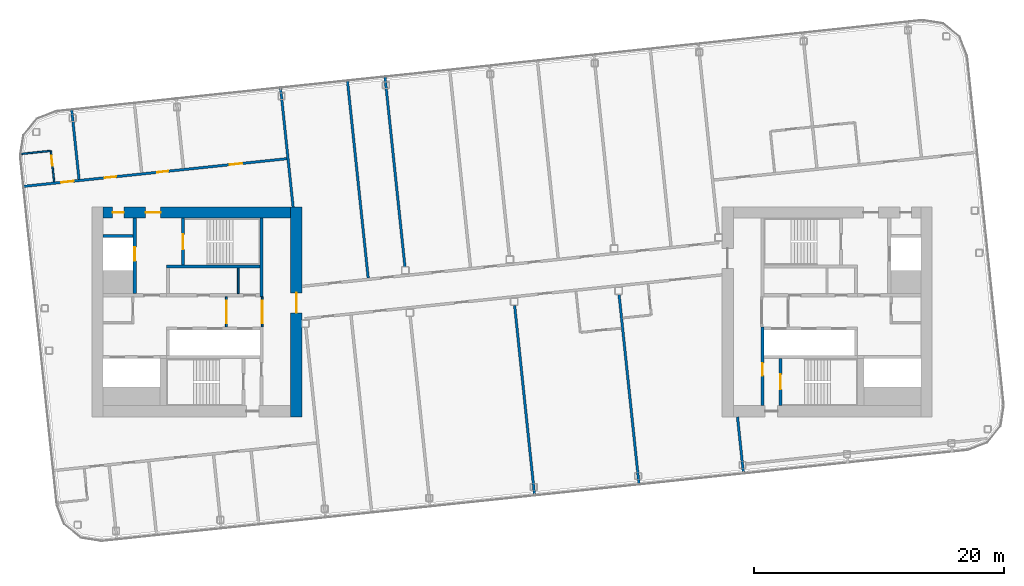
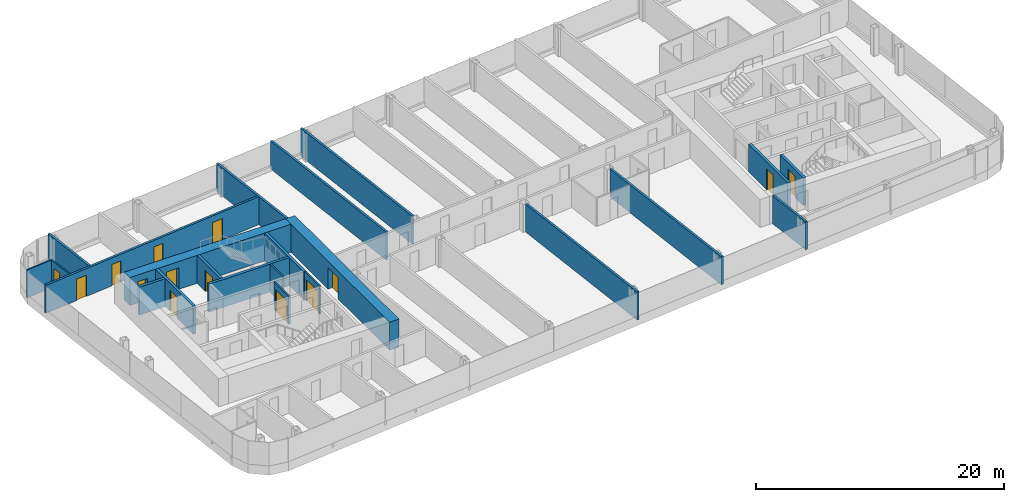
# One storey, part 15 of 27: 22 walls, 14 doors, 14 openings.
"""IFC4 building model written with IfcOpenShell, lengths in metres."""

import ifcopenshell
import ifcopenshell.guid

model = None  # the IFC model being written
_history = None  # IfcOwnerHistory: only IFC2X3 demands one
_inside = {}  # id of a spatial element -> (the spatial element, [elements in it])
_under = {}  # id of a project, library or spatial element -> (it, [spatial elements below it])
_declared = {}  # id of a project -> (the project, [libraries it declares])
_typed = {}  # id of a type object -> (the type object, [elements of that type])
_made_of = {}  # id of a material, layer set ... -> (it, [elements and type objects made of it])


def new_model(schema):
    """Start an empty IFC model of exactly this schema.

    Asked for "IFC4X3", IfcOpenShell would pick the latest addendum, in which some entities
    have other attributes; the version numbers below select the first issue.
    IFC2X3 requires an IfcOwnerHistory on every rooted entity: one is made here for all.
    """
    global model, _history
    if schema == "IFC4X3":
        model = ifcopenshell.file(schema_version=(4, 3, 0, 0))
    else:
        model = ifcopenshell.file(schema=schema)
    _inside.clear()
    _under.clear()
    _declared.clear()
    _typed.clear()
    _made_of.clear()
    _history = None
    if model.schema == "IFC2X3":
        org = make("IfcOrganization", Name="unknown")
        user = make(
            "IfcPersonAndOrganization",
            ThePerson=make("IfcPerson", FamilyName="unknown"),
            TheOrganization=org,
        )
        app = make(
            "IfcApplication",
            ApplicationDeveloper=org,
            Version="unknown",
            ApplicationFullName="unknown",
            ApplicationIdentifier="unknown",
        )
        _history = make(
            "IfcOwnerHistory",
            OwningUser=user,
            OwningApplication=app,
            ChangeAction="ADDED",
            CreationDate=0,
        )
    return model


def make(cls, **values):
    """One entity of the class cls with the attributes given. An attribute that is None is left unset."""
    return model.create_entity(
        cls, **{name: value for name, value in values.items() if value is not None}
    )


def rooted(cls, **values):
    """An entity with a GlobalId (a new one), such as an element, a storey or a relation."""
    return make(cls, GlobalId=ifcopenshell.guid.new(), OwnerHistory=_history, **values)


def si_unit(unit_type, name, prefix=None):
    """IfcSIUnit, for example si_unit("LENGTHUNIT", "METRE", prefix="MILLI")."""
    return make("IfcSIUnit", UnitType=unit_type, Prefix=prefix, Name=name)


def assignment(units):
    """IfcUnitAssignment: the units of a project."""
    return None if units is None else make("IfcUnitAssignment", Units=units)


def point(xyz):
    """IfcCartesianPoint."""
    return None if xyz is None else make("IfcCartesianPoint", Coordinates=xyz)


def direction(xyz):
    """IfcDirection."""
    return None if xyz is None else make("IfcDirection", DirectionRatios=xyz)


def frame(location, z_axis=None, x_axis=None):
    """IfcAxis2Placement3D, a coordinate frame: its origin and axes. An axis left out is left unset."""
    return make(
        "IfcAxis2Placement3D",
        Location=point(location),
        Axis=direction(z_axis),
        RefDirection=direction(x_axis),
    )


def frame_2d(location, x_axis=None):
    """IfcAxis2Placement2D, a coordinate frame in the plane: its origin and x axis."""
    return make(
        "IfcAxis2Placement2D", Location=point(location), RefDirection=direction(x_axis)
    )


def origin():
    """The frame at (0, 0, 0) with its axes left unset."""
    return frame((0.0, 0.0, 0.0))


def place(relative_to, where):
    """IfcLocalPlacement: puts the frame where relative to a parent placement (None: the world)."""
    return make(
        "IfcLocalPlacement", PlacementRelTo=relative_to, RelativePlacement=where
    )


def context(
    kind, dimensions, precision=None, world=None, true_north=None, identifier=None
):
    """IfcGeometricRepresentationContext, for example the 3D "Model" context."""
    return make(
        "IfcGeometricRepresentationContext",
        ContextIdentifier=identifier,
        ContextType=kind,
        CoordinateSpaceDimension=dimensions,
        Precision=precision,
        WorldCoordinateSystem=world,
        TrueNorth=true_north,
    )


def subcontext(parent, identifier, kind, view, scale=None):
    """IfcGeometricRepresentationSubContext, for example "Body" below "Model"."""
    return make(
        "IfcGeometricRepresentationSubContext",
        ContextIdentifier=identifier,
        ContextType=kind,
        ParentContext=parent,
        TargetScale=scale,
        TargetView=view,
    )


def project(units=None, contexts=None):
    """IfcProject with its units and contexts."""
    return rooted(
        "IfcProject",
        Name="project",
        RepresentationContexts=contexts,
        UnitsInContext=assignment(units),
    )


def spatial(cls, under=None, at=None, **own):
    """A site, building, storey or space (cls), placed at a placement, below another one or the project."""
    s = rooted(cls, ObjectPlacement=at, **own)
    if under is not None:
        _under.setdefault(under.id(), (under, []))[1].append(s)
    return s


def profile(cls, at=None, kind="AREA", **sizes):
    """A parametric profile (cls). Its sizes go by their IFC names, for example OverallWidth=200.0."""
    return make(cls, ProfileType=kind, Position=at, **sizes)


def rectangle(**sizes):
    """IfcRectangleProfileDef."""
    return profile("IfcRectangleProfileDef", **sizes)


def extrude(swept, where, along, depth):
    """IfcExtrudedAreaSolid: the profile swept, set in the frame where, extruded along a direction by depth."""
    return make(
        "IfcExtrudedAreaSolid",
        SweptArea=swept,
        Position=where,
        ExtrudedDirection=direction(along),
        Depth=depth,
    )


def shape(context_of_items, identifier, shape_type, items):
    """IfcShapeRepresentation: the items that make up one representation, for example the "Body"."""
    return make(
        "IfcShapeRepresentation",
        ContextOfItems=context_of_items,
        RepresentationIdentifier=identifier,
        RepresentationType=shape_type,
        Items=items,
    )


def material(Name=None, Category=None):
    """IfcMaterial."""
    return make("IfcMaterial", Name=Name, Category=Category)


def layer(
    of_material, thickness, ventilated=None, Name=None, Category=None, Priority=None
):
    """IfcMaterialLayer: one layer of a wall or slab, of a material (None: an air gap)."""
    return make(
        "IfcMaterialLayer",
        Material=of_material,
        LayerThickness=thickness,
        IsVentilated=ventilated,
        Name=Name,
        Category=Category,
        Priority=Priority,
    )


def layer_set(layers, Name=None):
    """IfcMaterialLayerSet."""
    return make("IfcMaterialLayerSet", MaterialLayers=layers, LayerSetName=Name)


def made_of(thing, what):
    """Note that an element or type object is made of a material, layer set ...; save() writes the relation."""
    if what is not None:
        _made_of.setdefault(what.id(), (what, []))[1].append(thing)
    return thing


def type_object(cls, material=None, **own):
    """A type object (cls), such as IfcWallType, which elements share."""
    return made_of(rooted(cls, **own), material)


def element(
    cls,
    number,
    at=None,
    inside=None,
    cuts=None,
    type_object=None,
    material=None,
    context=None,
    identifier="Body",
    shape_type=None,
    held_by="IfcProductDefinitionShape",
    body=None,
    shapes=None,
    **own,
):
    """One element of the class cls, such as IfcWall. Its Tag is "e" and its number.

    at: its placement. inside: the storey or other place that contains it. cuts: it is an
    opening in that element (IfcRelVoidsElement). A single representation is given by context,
    identifier, shape_type and body (its items); several are given by shapes. held_by: the class
    of the entity that holds the representations. save() writes the other relations.
    """
    e = rooted(cls, Tag="e%d" % number, ObjectPlacement=at, **own)
    if body is not None:
        shapes = [shape(context, identifier, shape_type, body)]
    if shapes is not None:
        e.Representation = make(held_by, Representations=shapes)
    if inside is not None:
        _inside.setdefault(inside.id(), (inside, []))[1].append(e)
    if cuts is not None:
        rooted(
            "IfcRelVoidsElement", RelatingBuildingElement=cuts, RelatedOpeningElement=e
        )
    if type_object is not None:
        _typed.setdefault(type_object.id(), (type_object, []))[1].append(e)
    return made_of(e, material)


def fill(opening, filler):
    """IfcRelFillsElement: the door or window that sits in an opening."""
    return rooted(
        "IfcRelFillsElement",
        RelatingOpeningElement=opening,
        RelatedBuildingElement=filler,
    )


def aggregate(whole, parts):
    """IfcRelAggregates: a whole, such as a stair, and the parts it consists of."""
    return rooted("IfcRelAggregates", RelatingObject=whole, RelatedObjects=parts)


def save(model, path):
    """Write the relations noted so far, then the file.

    IfcRelAggregates (storeys below a building ...), IfcRelContainedInSpatialStructure (elements
    in a storey), IfcRelDefinesByType, IfcRelAssociatesMaterial and IfcRelDeclares: one each for
    every whole, place, type object, material and project.
    """
    for whole, parts in _under.values():
        aggregate(whole, parts)
    for where, things in _inside.values():
        rooted(
            "IfcRelContainedInSpatialStructure",
            RelatedElements=things,
            RelatingStructure=where,
        )
    for kind, things in _typed.values():
        rooted("IfcRelDefinesByType", RelatedObjects=things, RelatingType=kind)
    for what, things in _made_of.values():
        rooted("IfcRelAssociatesMaterial", RelatedObjects=things, RelatingMaterial=what)
    for by, libraries in _declared.values():
        rooted("IfcRelDeclares", RelatingContext=by, RelatedDefinitions=libraries)
    model.write(path)


model = new_model("IFC4")

# Units and contexts
model_context = context("Model", 3, precision=1e-05, world=origin(), true_north=direction((0.0, 1.0)))
body_context = subcontext(model_context, "Body", "Model", "MODEL_VIEW")
ifc_project = project(units=[si_unit("LENGTHUNIT", "METRE"), si_unit("AREAUNIT", "SQUARE_METRE"), si_unit("VOLUMEUNIT", "CUBIC_METRE"), si_unit("PLANEANGLEUNIT", "RADIAN"), si_unit("MASSUNIT", "GRAM", prefix="KILO")], contexts=[model_context])

# Site, building, storey
site_placement = place(None, origin())
site = spatial("IfcSite", under=ifc_project, at=site_placement, CompositionType="ELEMENT")
building_placement = place(site_placement, origin())
building = spatial("IfcBuilding", under=site, at=building_placement, Name="Hakoniwa Tower and Hamabe Station Hall", CompositionType="ELEMENT")
storey_placement = place(building_placement, frame((0.0, 0.0, 239.0)))
storey = spatial("IfcBuildingStorey", under=building, at=storey_placement, Name="L67", CompositionType="ELEMENT", Elevation=239.0)

# Wall
ifc_material_1 = material(Name="Gypsum board partition", Category="gypsum")
ifc_layer_1 = layer(ifc_material_1, 0.125)
ifc_layer_set_1 = layer_set([ifc_layer_1], Name="Bathroom Partition 125")
wall_type_1 = type_object("IfcWallType", Name="Bathroom Partition 125", PredefinedType="PARTITIONING", material=ifc_layer_set_1)
wall_1_placement = place(storey_placement, frame((-39.336181640625, 12.62353515625, 0.0), z_axis=(0.0, 0.0, 1.0), x_axis=(0.994528281662, 0.104467683877, 0.0)))
element("IfcWall", 1, at=wall_1_placement, inside=storey, type_object=wall_type_1, Name="GW-L67-011", PredefinedType="PARTITIONING", context=body_context, shape_type="SweptSolid", body=[
    extrude(rectangle(XDim=2.400146484375, YDim=0.125, at=frame_2d((1.2001953125, 0.0))), origin(), (0.0, 0.0, 1.0), 2.75),
])

# Wall, opening, door
wall_2_placement = place(storey_placement, frame((-36.625732421875, 10.39453125, 0.0), z_axis=(0.0, 0.0, 1.0), x_axis=(-0.104588199498, 0.994515615024, 0.0)))
wall_2 = element("IfcWall", 2, at=wall_2_placement, inside=storey, type_object=wall_type_1, Name="GW-L67-013", PredefinedType="PARTITIONING", context=body_context, shape_type="SweptSolid", body=[
    extrude(rectangle(XDim=2.5, YDim=0.125, at=frame_2d((1.25, 0.0))), origin(), (0.0, 0.0, 1.0), 2.75),
])
opening_1_placement = place(wall_2_placement, frame((1.300048828125, 0.0, 0.0)))
opening_1 = element("IfcOpeningElement", 3, at=opening_1_placement, cuts=wall_2, Name="Opening GD-G5A0-30", PredefinedType="OPENING", context=body_context, shape_type="SweptSolid", body=[
    extrude(rectangle(XDim=0.800048828125, YDim=2.10009765625, at=frame_2d((0.39990234375, 1.050048828125))), frame((0.0, 0.072509765625, 0.0), z_axis=(0.0, -1.0, 0.0), x_axis=(1.0, 0.0, 0.0)), (0.0, 0.0, 1.0), 0.14501953125),
])
ifc_material_2 = material(Name="Timber door leaf", Category="wood")
door_type_1 = type_object("IfcDoorType", Name="Bathroom Door 800", OperationType="SINGLE_SWING_LEFT", PredefinedType="DOOR", material=ifc_material_2)
door_1_placement = place(opening_1_placement, origin())
door_1 = element("IfcDoor", 4, at=door_1_placement, inside=storey, type_object=door_type_1, Name="Door GD-G5A0-30", OperationType="SINGLE_SWING_LEFT", OverallHeight=2.10009765625, OverallWidth=0.800048828125, PredefinedType="DOOR", context=body_context, shape_type="SweptSolid", body=[
    extrude(rectangle(XDim=0.800048828125, YDim=2.10009765625, at=frame_2d((0.39990234375, 1.050048828125))), frame((0.0, 0.02490234375, 0.0), z_axis=(0.0, -1.0, 0.0), x_axis=(1.0, 0.0, 0.0)), (0.0, 0.0, 1.0), 0.050048828125),
])
fill(opening_1, door_1)

ifc_material_3 = material(Name="Gypsum board partition")
ifc_layer_2 = layer(ifc_material_3, 0.14990234375)
ifc_layer_set_2 = layer_set([ifc_layer_2], Name="CORE PARTITION 150 EI 60")
wall_type_2 = type_object("IfcWallType", Name="CORE PARTITION 150 EI 60", PredefinedType="PARTITIONING", material=ifc_layer_set_2)
wall_3_placement = place(storey_placement, frame((-19.97509765625, -1.199951171875, 0.0), z_axis=(0.0, 0.0, 1.0), x_axis=(0.0, 1.0, 0.0)))
wall_3 = element("IfcWall", 5, at=wall_3_placement, inside=storey, type_object=wall_type_2, Name="Core partition PL0 west", PredefinedType="PARTITIONING", context=body_context, shape_type="SweptSolid", body=[
    extrude(rectangle(XDim=2.39990234375, YDim=0.14990234375, at=frame_2d((1.199951171875, 0.0))), origin(), (0.0, 0.0, 1.0), 2.75),
])
opening_2_placement = place(wall_3_placement, frame((0.300048828125, 0.0, 0.0)))
opening_2 = element("IfcOpeningElement", 6, at=opening_2_placement, cuts=wall_3, Name="Opening CD-W-LP0-18", PredefinedType="OPENING", context=body_context, shape_type="SweptSolid", body=[
    extrude(rectangle(XDim=1.800048828125, YDim=2.10009765625, at=frame_2d((0.89990234375, 1.050048828125))), frame((0.0, 0.0849609375, 0.0), z_axis=(0.0, -1.0, 0.0), x_axis=(1.0, 0.0, 0.0)), (0.0, 0.0, 1.0), 0.169921875),
])
ifc_material_4 = material(Name="Steel fire door", Category="steel")
door_type_2 = type_object("IfcDoorType", Name="CORE DOOR 1800 FD60", OperationType="DOUBLE_DOOR_SINGLE_SWING", PredefinedType="DOOR", material=ifc_material_4)
door_2_placement = place(opening_2_placement, origin())
door_2 = element("IfcDoor", 7, at=door_2_placement, inside=storey, type_object=door_type_2, Name="Lift lobby partition door", OperationType="DOUBLE_DOOR_SINGLE_SWING", OverallHeight=2.10009765625, OverallWidth=1.800048828125, PredefinedType="DOOR", context=body_context, shape_type="SweptSolid", body=[
    extrude(rectangle(XDim=1.800048828125, YDim=2.10009765625, at=frame_2d((0.89990234375, 1.050048828125))), frame((0.0, 0.02490234375, 0.0), z_axis=(0.0, -1.0, 0.0), x_axis=(1.0, 0.0, 0.0)), (0.0, 0.0, 1.0), 0.050048828125),
])
fill(opening_2, door_2)

wall_4_placement = place(storey_placement, frame((-22.85009765625, -1.199951171875, 0.0), z_axis=(0.0, 0.0, 1.0), x_axis=(0.0, 1.0, 0.0)))
wall_4 = element("IfcWall", 8, at=wall_4_placement, inside=storey, type_object=wall_type_2, Name="Core partition PL1 west", PredefinedType="PARTITIONING", context=body_context, shape_type="SweptSolid", body=[
    extrude(rectangle(XDim=2.39990234375, YDim=0.14990234375, at=frame_2d((1.199951171875, 0.0))), origin(), (0.0, 0.0, 1.0), 2.75),
])
opening_3_placement = place(wall_4_placement, frame((0.300048828125, 0.0, 0.0)))
opening_3 = element("IfcOpeningElement", 9, at=opening_3_placement, cuts=wall_4, Name="Opening CD-W-LP1-18", PredefinedType="OPENING", context=body_context, shape_type="SweptSolid", body=[
    extrude(rectangle(XDim=1.800048828125, YDim=2.10009765625, at=frame_2d((0.89990234375, 1.050048828125))), frame((0.0, 0.0849609375, 0.0), z_axis=(0.0, -1.0, 0.0), x_axis=(1.0, 0.0, 0.0)), (0.0, 0.0, 1.0), 0.169921875),
])
door_3_placement = place(opening_3_placement, origin())
door_3 = element("IfcDoor", 10, at=door_3_placement, inside=storey, type_object=door_type_2, Name="Lift lobby partition door", OperationType="DOUBLE_DOOR_SINGLE_SWING", OverallHeight=2.10009765625, OverallWidth=1.800048828125, PredefinedType="DOOR", context=body_context, shape_type="SweptSolid", body=[
    extrude(rectangle(XDim=1.800048828125, YDim=2.10009765625, at=frame_2d((0.89990234375, 1.050048828125))), frame((0.0, 0.02490234375, 0.0), z_axis=(0.0, -1.0, 0.0), x_axis=(1.0, 0.0, 0.0)), (0.0, 0.0, 1.0), 0.050048828125),
])
fill(opening_3, door_3)

# Wall
wall_5_placement = place(storey_placement, frame((-21.89990234375, 1.449951171875, 0.0), z_axis=(0.0, 0.0, 1.0), x_axis=(0.0, 1.0, 0.0)))
element("IfcWall", 11, at=wall_5_placement, inside=storey, type_object=wall_type_2, Name="Core partition PFLR0 west", PredefinedType="PARTITIONING", context=body_context, shape_type="SweptSolid", body=[
    extrude(rectangle(XDim=2.050048828125, YDim=0.14990234375, at=frame_2d((1.02490234375, 0.0))), origin(), (0.0, 0.0, 1.0), 2.75),
])

# Wall, opening, door
ifc_material_5 = material(Name="Concrete C60", Category="concrete")
ifc_layer_3 = layer(ifc_material_5, 0.89990234375)
ifc_layer_set_3 = layer_set([ifc_layer_3], Name="CORE WALL 900 C60")
wall_type_3 = type_object("IfcWallType", Name="CORE WALL 900 C60", PredefinedType="SHEAR", material=ifc_layer_set_3)
wall_6_placement = place(storey_placement, frame((-17.25, -8.39990234375, 0.0), z_axis=(0.0, 0.0, 1.0), x_axis=(0.0, 1.0, 0.0)))
wall_6 = element("IfcWall", 12, at=wall_6_placement, inside=storey, type_object=wall_type_3, Name="Core wall INNER west", PredefinedType="SHEAR", context=body_context, shape_type="SweptSolid", body=[
    extrude(rectangle(XDim=16.7998046875, YDim=0.89990234375, at=frame_2d((8.39990234375, 0.0))), origin(), (0.0, 0.0, 1.0), 2.75),
])
opening_4_placement = place(wall_6_placement, frame((8.321044921875, 0.0, 0.0)))
opening_4 = element("IfcOpeningElement", 13, at=opening_4_placement, cuts=wall_6, Name="Opening CD-W-IN1-16", PredefinedType="OPENING", context=body_context, shape_type="SweptSolid", body=[
    extrude(rectangle(XDim=1.60009765625, YDim=2.10009765625, at=frame_2d((0.800048828125, 1.050048828125))), frame((0.0, 0.4599609375, 0.0), z_axis=(0.0, -1.0, 0.0), x_axis=(1.0, 0.0, 0.0)), (0.0, 0.0, 1.0), 0.919921875),
])
ifc_material_6 = material(Name="Steel fire door", Category="steel")
door_type_3 = type_object("IfcDoorType", Name="CORE DOOR 1600 FD60", OperationType="DOUBLE_DOOR_SINGLE_SWING", PredefinedType="DOOR", material=ifc_material_6)
door_4_placement = place(opening_4_placement, origin())
door_4 = element("IfcDoor", 14, at=door_4_placement, inside=storey, type_object=door_type_3, Name="Lift lobby door", OperationType="DOUBLE_DOOR_SINGLE_SWING", OverallHeight=2.10009765625, OverallWidth=1.60009765625, PredefinedType="DOOR", context=body_context, shape_type="SweptSolid", body=[
    extrude(rectangle(XDim=1.60009765625, YDim=2.10009765625, at=frame_2d((0.800048828125, 1.050048828125))), frame((0.0, 0.02490234375, 0.0), z_axis=(0.0, -1.0, 0.0), x_axis=(1.0, 0.0, 0.0)), (0.0, 0.0, 1.0), 0.050048828125),
])
fill(opening_4, door_4)

# Wall, openings, doors
wall_7_placement = place(storey_placement, frame((-32.699951171875, 7.949951171875, 0.0), z_axis=(0.0, 0.0, 1.0), x_axis=(1.0, 0.0, 0.0)))
wall_7 = element("IfcWall", 15, at=wall_7_placement, inside=storey, type_object=wall_type_3, Name="Core wall NORTH west", PredefinedType="SHEAR", context=body_context, shape_type="SweptSolid", body=[
    extrude(rectangle(XDim=15.0, YDim=0.89990234375, at=frame_2d((7.5, 0.0))), origin(), (0.0, 0.0, 1.0), 2.75),
])
opening_5_placement = place(wall_7_placement, frame((3.39990234375, 0.0, 0.0)))
opening_5 = element("IfcOpeningElement", 16, at=opening_5_placement, cuts=wall_7, Name="Opening CD-W-FN1-12", PredefinedType="OPENING", context=body_context, shape_type="SweptSolid", body=[
    extrude(rectangle(XDim=1.199951171875, YDim=2.10009765625, at=frame_2d((0.60009765625, 1.050048828125))), frame((0.0, 0.4599609375, 0.0), z_axis=(0.0, -1.0, 0.0), x_axis=(1.0, 0.0, 0.0)), (0.0, 0.0, 1.0), 0.919921875),
])
opening_6_placement = place(wall_7_placement, frame((0.75, 0.0, 0.0)))
opening_6 = element("IfcOpeningElement", 17, at=opening_6_placement, cuts=wall_7, Name="Opening CD-W-FN2-9", PredefinedType="OPENING", context=body_context, shape_type="SweptSolid", body=[
    extrude(rectangle(XDim=0.89990234375, YDim=2.10009765625, at=frame_2d((0.449951171875, 1.050048828125))), frame((0.0, 0.4599609375, 0.0), z_axis=(0.0, -1.0, 0.0), x_axis=(1.0, 0.0, 0.0)), (0.0, 0.0, 1.0), 0.919921875),
])
ifc_material_7 = material(Name="Steel fire door", Category="steel")
door_type_4 = type_object("IfcDoorType", Name="CORE DOOR 1200 FD60", OperationType="DOUBLE_DOOR_SINGLE_SWING", PredefinedType="DOOR", material=ifc_material_7)
door_5_placement = place(opening_5_placement, origin())
door_5 = element("IfcDoor", 18, at=door_5_placement, inside=storey, type_object=door_type_4, Name="Stair vestibule door to the fire-fighting lobby", OperationType="DOUBLE_DOOR_SINGLE_SWING", OverallHeight=2.10009765625, OverallWidth=1.199951171875, PredefinedType="DOOR", context=body_context, shape_type="SweptSolid", body=[
    extrude(rectangle(XDim=1.199951171875, YDim=2.10009765625, at=frame_2d((0.60009765625, 1.050048828125))), frame((0.0, 0.02490234375, 0.0), z_axis=(0.0, -1.0, 0.0), x_axis=(1.0, 0.0, 0.0)), (0.0, 0.0, 1.0), 0.050048828125),
])
fill(opening_5, door_5)
ifc_material_8 = material(Name="Steel fire door", Category="steel")
door_type_5 = type_object("IfcDoorType", Name="CORE DOOR 900 FD30", OperationType="NOTDEFINED", PredefinedType="DOOR", material=ifc_material_8)
door_6_placement = place(opening_6_placement, origin())
door_6 = element("IfcDoor", 19, at=door_6_placement, inside=storey, type_object=door_type_5, Name="Riser access door", OperationType="SINGLE_SWING_LEFT", OverallHeight=2.10009765625, OverallWidth=0.89990234375, PredefinedType="DOOR", context=body_context, shape_type="SweptSolid", body=[
    extrude(rectangle(XDim=0.89990234375, YDim=2.10009765625, at=frame_2d((0.449951171875, 1.050048828125))), frame((0.0, 0.02490234375, 0.0), z_axis=(0.0, -1.0, 0.0), x_axis=(1.0, 0.0, 0.0)), (0.0, 0.0, 1.0), 0.050048828125),
])
fill(opening_6, door_6)

# Walls
ifc_material_9 = material(Name="Concrete C60", Category="concrete")
ifc_layer_4 = layer(ifc_material_9, 0.25)
ifc_layer_set_4 = layer_set([ifc_layer_4], Name="CORE WEB WALL 250 C60")
wall_type_4 = type_object("IfcWallType", Name="CORE WEB WALL 250 C60", PredefinedType="SHEAR", material=ifc_layer_set_4)
wall_8_placement = place(storey_placement, frame((-20.02490234375, 1.199951171875, 0.0), z_axis=(0.0, 0.0, 1.0), x_axis=(0.0, 1.0, 0.0)))
element("IfcWall", 20, at=wall_8_placement, inside=storey, type_object=wall_type_4, Name="Core wall W1N west", PredefinedType="SHEAR", context=body_context, shape_type="SweptSolid", body=[
    extrude(rectangle(XDim=6.300048828125, YDim=0.25, at=frame_2d((3.14990234375, 0.0))), origin(), (0.0, 0.0, 1.0), 2.75),
])
wall_9_placement = place(storey_placement, frame((-27.64990234375, 3.625, 0.0), z_axis=(0.0, 0.0, 1.0), x_axis=(1.0, 0.0, 0.0)))
element("IfcWall", 21, at=wall_9_placement, inside=storey, type_object=wall_type_4, Name="Core wall NR west", PredefinedType="SHEAR", context=body_context, shape_type="SweptSolid", body=[
    extrude(rectangle(XDim=7.5, YDim=0.25, at=frame_2d((3.75, 0.0))), origin(), (0.0, 0.0, 1.0), 2.75),
])

# Wall, opening, door
wall_10_placement = place(storey_placement, frame((-26.324951171875, 3.75, 0.0), z_axis=(0.0, 0.0, 1.0), x_axis=(0.0, 1.0, 0.0)))
wall_10 = element("IfcWall", 22, at=wall_10_placement, inside=storey, type_object=wall_type_4, Name="Core wall NSE west", PredefinedType="SHEAR", context=body_context, shape_type="SweptSolid", body=[
    extrude(rectangle(XDim=3.75, YDim=0.25, at=frame_2d((1.875, 0.0))), origin(), (0.0, 0.0, 1.0), 2.75),
])
opening_7_placement = place(wall_10_placement, frame((1.25, 0.0, 0.0)))
opening_7 = element("IfcOpeningElement", 23, at=opening_7_placement, cuts=wall_10, Name="Opening CD-W-SN-12", PredefinedType="OPENING", context=body_context, shape_type="SweptSolid", body=[
    extrude(rectangle(XDim=1.199951171875, YDim=2.10009765625, at=frame_2d((0.60009765625, 1.050048828125))), frame((0.0, 0.135009765625, 0.0), z_axis=(0.0, -1.0, 0.0), x_axis=(1.0, 0.0, 0.0)), (0.0, 0.0, 1.0), 0.27001953125),
])
door_7_placement = place(opening_7_placement, origin())
door_7 = element("IfcDoor", 24, at=door_7_placement, inside=storey, type_object=door_type_4, Name="Escape stair door", OperationType="DOUBLE_DOOR_SINGLE_SWING", OverallHeight=2.10009765625, OverallWidth=1.199951171875, PredefinedType="DOOR", context=body_context, shape_type="SweptSolid", body=[
    extrude(rectangle(XDim=1.199951171875, YDim=2.10009765625, at=frame_2d((0.60009765625, 1.050048828125))), frame((0.0, 0.02490234375, 0.0), z_axis=(0.0, -1.0, 0.0), x_axis=(1.0, 0.0, 0.0)), (0.0, 0.0, 1.0), 0.050048828125),
])
fill(opening_7, door_7)

wall_11_placement = place(storey_placement, frame((-30.175048828125, 1.449951171875, 0.0), z_axis=(0.0, 0.0, 1.0), x_axis=(0.0, 1.0, 0.0)))
wall_11 = element("IfcWall", 25, at=wall_11_placement, inside=storey, type_object=wall_type_4, Name="Core wall FFF west", PredefinedType="SHEAR", context=body_context, shape_type="SweptSolid", body=[
    extrude(rectangle(XDim=6.050048828125, YDim=0.25, at=frame_2d((3.02490234375, 0.0))), origin(), (0.0, 0.0, 1.0), 2.75),
])
opening_8_placement = place(wall_11_placement, frame((2.625, 0.0, 0.0)))
opening_8 = element("IfcOpeningElement", 26, at=opening_8_placement, cuts=wall_11, Name="Opening LD-FF1", PredefinedType="OPENING", context=body_context, shape_type="SweptSolid", body=[
    extrude(rectangle(XDim=1.10009765625, YDim=2.10009765625, at=frame_2d((0.550048828125, 1.050048828125))), frame((0.0, 0.135009765625, 0.0), z_axis=(0.0, -1.0, 0.0), x_axis=(1.0, 0.0, 0.0)), (0.0, 0.0, 1.0), 0.27001953125),
])
ifc_material_10 = material(Name="Stainless steel SUS304", Category="steel")
door_type_6 = type_object("IfcDoorType", Name="LIFT LANDING DOOR 1100 FD60", OperationType="DOUBLE_DOOR_SLIDING", PredefinedType="DOOR", material=ifc_material_10)
door_8_placement = place(opening_8_placement, origin())
door_8 = element("IfcDoor", 27, at=door_8_placement, inside=storey, type_object=door_type_6, Name="Lift landing door FF1 L67", OperationType="DOUBLE_DOOR_SLIDING", OverallHeight=2.10009765625, OverallWidth=1.10009765625, PredefinedType="DOOR", context=body_context, shape_type="SweptSolid", body=[
    extrude(rectangle(XDim=1.10009765625, YDim=2.10009765625, at=frame_2d((0.550048828125, 1.050048828125))), frame((0.0, 0.02490234375, 0.0), z_axis=(0.0, -1.0, 0.0), x_axis=(1.0, 0.0, 0.0)), (0.0, 0.0, 1.0), 0.050048828125),
])
fill(opening_8, door_8)

# Wall
wall_12_placement = place(storey_placement, frame((-32.699951171875, 6.074951171875, 0.0), z_axis=(0.0, 0.0, 1.0), x_axis=(1.0, 0.0, 0.0)))
element("IfcWall", 28, at=wall_12_placement, inside=storey, type_object=wall_type_4, Name="Core wall C2 west", PredefinedType="SHEAR", context=body_context, shape_type="SweptSolid", body=[
    extrude(rectangle(XDim=2.39990234375, YDim=0.25, at=frame_2d((1.199951171875, 0.0))), origin(), (0.0, 0.0, 1.0), 2.75),
])

# Wall, opening, door
wall_13_placement = place(storey_placement, frame((20.02490234375, -7.5, 0.0), z_axis=(0.0, 0.0, 1.0), x_axis=(0.0, 1.0, 0.0)))
wall_13 = element("IfcWall", 29, at=wall_13_placement, inside=storey, type_object=wall_type_4, Name="Core wall W1S east", PredefinedType="SHEAR", context=body_context, shape_type="SweptSolid", body=[
    extrude(rectangle(XDim=6.300048828125, YDim=0.25, at=frame_2d((3.14990234375, 0.0))), origin(), (0.0, 0.0, 1.0), 2.75),
])
opening_9_placement = place(wall_13_placement, frame((2.39990234375, 0.0, 0.0)))
opening_9 = element("IfcOpeningElement", 30, at=opening_9_placement, cuts=wall_13, Name="Opening CD-E-VS-10", PredefinedType="OPENING", context=body_context, shape_type="SweptSolid", body=[
    extrude(rectangle(XDim=1.0, YDim=2.10009765625, at=frame_2d((0.5, 1.050048828125))), frame((0.0, 0.135009765625, 0.0), z_axis=(0.0, -1.0, 0.0), x_axis=(1.0, 0.0, 0.0)), (0.0, 0.0, 1.0), 0.27001953125),
])
ifc_material_11 = material(Name="Steel fire door", Category="steel")
door_type_7 = type_object("IfcDoorType", Name="CORE DOOR 1000 FD60", OperationType="NOTDEFINED", PredefinedType="DOOR", material=ifc_material_11)
door_9_placement = place(opening_9_placement, origin())
door_9 = element("IfcDoor", 31, at=door_9_placement, inside=storey, type_object=door_type_7, Name="Stair vestibule door", OperationType="SINGLE_SWING_RIGHT", OverallHeight=2.10009765625, OverallWidth=1.0, PredefinedType="DOOR", context=body_context, shape_type="SweptSolid", body=[
    extrude(rectangle(XDim=1.0, YDim=2.10009765625, at=frame_2d((0.5, 1.050048828125))), frame((0.0, 0.02490234375, 0.0), z_axis=(0.0, -1.0, 0.0), x_axis=(1.0, 0.0, 0.0)), (0.0, 0.0, 1.0), 0.050048828125),
])
fill(opening_9, door_9)

wall_14_placement = place(storey_placement, frame((21.47509765625, -7.5, 0.0), z_axis=(0.0, 0.0, 1.0), x_axis=(0.0, 1.0, 0.0)))
wall_14 = element("IfcWall", 32, at=wall_14_placement, inside=storey, type_object=wall_type_4, Name="Core wall VE east", PredefinedType="SHEAR", context=body_context, shape_type="SweptSolid", body=[
    extrude(rectangle(XDim=3.75, YDim=0.25, at=frame_2d((1.875, 0.0))), origin(), (0.0, 0.0, 1.0), 2.75),
])
opening_10_placement = place(wall_14_placement, frame((1.300048828125, 0.0, 0.0)))
opening_10 = element("IfcOpeningElement", 33, at=opening_10_placement, cuts=wall_14, Name="Opening CD-E-SS-12", PredefinedType="OPENING", context=body_context, shape_type="SweptSolid", body=[
    extrude(rectangle(XDim=1.199951171875, YDim=2.10009765625, at=frame_2d((0.60009765625, 1.050048828125))), frame((0.0, 0.135009765625, 0.0), z_axis=(0.0, -1.0, 0.0), x_axis=(1.0, 0.0, 0.0)), (0.0, 0.0, 1.0), 0.27001953125),
])
door_10_placement = place(opening_10_placement, origin())
door_10 = element("IfcDoor", 34, at=door_10_placement, inside=storey, type_object=door_type_4, Name="Escape stair door", OperationType="DOUBLE_DOOR_SINGLE_SWING", OverallHeight=2.10009765625, OverallWidth=1.199951171875, PredefinedType="DOOR", context=body_context, shape_type="SweptSolid", body=[
    extrude(rectangle(XDim=1.199951171875, YDim=2.10009765625, at=frame_2d((0.60009765625, 1.050048828125))), frame((0.0, 0.02490234375, 0.0), z_axis=(0.0, -1.0, 0.0), x_axis=(1.0, 0.0, 0.0)), (0.0, 0.0, 1.0), 0.050048828125),
])
fill(opening_10, door_10)

# Wall, openings, doors
ifc_material_12 = material(Name="Fire-rated gypsum board partition", Category="gypsum")
ifc_layer_5 = layer(ifc_material_12, 0.199951171875)
ifc_layer_set_5 = layer_set([ifc_layer_5], Name="Corridor Wall 200")
wall_type_5 = type_object("IfcWallType", Name="Corridor Wall 200", PredefinedType="PARTITIONING", material=ifc_layer_set_5)
wall_15_placement = place(storey_placement, frame((-39.101806640625, 10.033935546875, 0.0), z_axis=(0.0, 0.0, 1.0), x_axis=(0.994522585465, 0.104521897229, 0.0)))
wall_15 = element("IfcWall", 35, at=wall_15_placement, inside=storey, type_object=wall_type_5, Name="GW-L67-010", PredefinedType="PARTITIONING", context=body_context, shape_type="SweptSolid", body=[
    extrude(rectangle(XDim=21.300048828125, YDim=0.199951171875, at=frame_2d((10.64990234375, 0.0))), origin(), (0.0, 0.0, 1.0), 2.75),
])
opening_11_placement = place(wall_15_placement, frame((3.050048828125, 0.0, 0.0)))
opening_11 = element("IfcOpeningElement", 36, at=opening_11_placement, cuts=wall_15, Name="Opening GD-G5A0-25", PredefinedType="OPENING", context=body_context, shape_type="SweptSolid", body=[
    extrude(rectangle(XDim=1.0, YDim=2.10009765625, at=frame_2d((0.5, 1.050048828125))), frame((0.0, 0.10986328125, 0.0), z_axis=(0.0, -1.0, 0.0), x_axis=(1.0, 0.0, 0.0)), (0.0, 0.0, 1.0), 0.219970703125),
])
opening_12_placement = place(wall_15_placement, frame((6.570068359375, 0.0, 0.0)))
opening_12 = element("IfcOpeningElement", 37, at=opening_12_placement, cuts=wall_15, Name="Opening GD-G5A0-26", PredefinedType="OPENING", context=body_context, shape_type="SweptSolid", body=[
    extrude(rectangle(XDim=0.89990234375, YDim=2.10009765625, at=frame_2d((0.449951171875, 1.050048828125))), frame((0.0, 0.10986328125, 0.0), z_axis=(0.0, -1.0, 0.0), x_axis=(1.0, 0.0, 0.0)), (0.0, 0.0, 1.0), 0.219970703125),
])
opening_13_placement = place(wall_15_placement, frame((10.77001953125, 0.0, 0.0)))
opening_13 = element("IfcOpeningElement", 38, at=opening_13_placement, cuts=wall_15, Name="Opening GD-G5A0-27", PredefinedType="OPENING", context=body_context, shape_type="SweptSolid", body=[
    extrude(rectangle(XDim=0.89990234375, YDim=2.10009765625, at=frame_2d((0.449951171875, 1.050048828125))), frame((0.0, 0.10986328125, 0.0), z_axis=(0.0, -1.0, 0.0), x_axis=(1.0, 0.0, 0.0)), (0.0, 0.0, 1.0), 0.219970703125),
])
opening_14_placement = place(wall_15_placement, frame((16.60009765625, 0.0, 0.0)))
opening_14 = element("IfcOpeningElement", 39, at=opening_14_placement, cuts=wall_15, Name="Opening GD-G5A0-28", PredefinedType="OPENING", context=body_context, shape_type="SweptSolid", body=[
    extrude(rectangle(XDim=1.0, YDim=2.10009765625, at=frame_2d((0.5, 1.050048828125))), frame((0.0, 0.10986328125, 0.0), z_axis=(0.0, -1.0, 0.0), x_axis=(1.0, 0.0, 0.0)), (0.0, 0.0, 1.0), 0.219970703125),
])
ifc_material_13 = material(Name="Timber door leaf", Category="wood")
door_type_8 = type_object("IfcDoorType", Name="Guest Entrance Door 1000", OperationType="SINGLE_SWING_LEFT", PredefinedType="DOOR", material=ifc_material_13)
door_11_placement = place(opening_11_placement, origin())
door_11 = element("IfcDoor", 40, at=door_11_placement, inside=storey, type_object=door_type_8, Name="Door GD-G5A0-25", OperationType="SINGLE_SWING_LEFT", OverallHeight=2.10009765625, OverallWidth=1.0, PredefinedType="DOOR", context=body_context, shape_type="SweptSolid", body=[
    extrude(rectangle(XDim=1.0, YDim=2.10009765625, at=frame_2d((0.5, 1.050048828125))), frame((0.0, 0.02490234375, 0.0), z_axis=(0.0, -1.0, 0.0), x_axis=(1.0, 0.0, 0.0)), (0.0, 0.0, 1.0), 0.050048828125),
])
fill(opening_11, door_11)
door_12_placement = place(opening_14_placement, origin())
door_12 = element("IfcDoor", 41, at=door_12_placement, inside=storey, type_object=door_type_8, Name="Door GD-G5A0-28", OperationType="SINGLE_SWING_RIGHT", OverallHeight=2.10009765625, OverallWidth=1.0, PredefinedType="DOOR", context=body_context, shape_type="SweptSolid", body=[
    extrude(rectangle(XDim=1.0, YDim=2.10009765625, at=frame_2d((0.5, 1.050048828125))), frame((0.0, 0.02490234375, 0.0), z_axis=(0.0, -1.0, 0.0), x_axis=(1.0, 0.0, 0.0)), (0.0, 0.0, 1.0), 0.050048828125),
])
fill(opening_14, door_12)
ifc_material_14 = material(Name="Timber door leaf", Category="wood")
door_type_9 = type_object("IfcDoorType", Name="Service Door 900", OperationType="SINGLE_SWING_LEFT", PredefinedType="DOOR", material=ifc_material_14)
door_13_placement = place(opening_12_placement, origin())
door_13 = element("IfcDoor", 42, at=door_13_placement, inside=storey, type_object=door_type_9, Name="Door GD-G5A0-26", OperationType="SINGLE_SWING_RIGHT", OverallHeight=2.10009765625, OverallWidth=0.89990234375, PredefinedType="DOOR", context=body_context, shape_type="SweptSolid", body=[
    extrude(rectangle(XDim=0.89990234375, YDim=2.10009765625, at=frame_2d((0.449951171875, 1.050048828125))), frame((0.0, 0.02490234375, 0.0), z_axis=(0.0, -1.0, 0.0), x_axis=(1.0, 0.0, 0.0)), (0.0, 0.0, 1.0), 0.050048828125),
])
fill(opening_12, door_13)
door_14_placement = place(opening_13_placement, origin())
door_14 = element("IfcDoor", 43, at=door_14_placement, inside=storey, type_object=door_type_9, Name="Door GD-G5A0-27", OperationType="SINGLE_SWING_LEFT", OverallHeight=2.10009765625, OverallWidth=0.89990234375, PredefinedType="DOOR", context=body_context, shape_type="SweptSolid", body=[
    extrude(rectangle(XDim=0.89990234375, YDim=2.10009765625, at=frame_2d((0.449951171875, 1.050048828125))), frame((0.0, 0.02490234375, 0.0), z_axis=(0.0, -1.0, 0.0), x_axis=(1.0, 0.0, 0.0)), (0.0, 0.0, 1.0), 0.050048828125),
])
fill(opening_13, door_14)

# Walls
ifc_material_15 = material(Name="Fire-rated gypsum board partition", Category="gypsum")
ifc_layer_6 = layer(ifc_material_15, 0.199951171875)
ifc_layer_set_6 = layer_set([ifc_layer_6], Name="Party Wall 200")
wall_type_6 = type_object("IfcWallType", Name="Party Wall 200", PredefinedType="PARTITIONING", material=ifc_layer_set_6)
wall_16_placement = place(storey_placement, frame((-34.63671875, 10.603759765625, 0.0), z_axis=(0.0, 0.0, 1.0), x_axis=(-0.104560413987, 0.994518536693, 0.0)))
element("IfcWall", 44, at=wall_16_placement, inside=storey, type_object=wall_type_6, Name="GW-L67-015", PredefinedType="PARTITIONING", context=body_context, shape_type="SweptSolid", body=[
    extrude(rectangle(XDim=5.6201171875, YDim=0.199951171875, at=frame_2d((2.81005859375, 0.0))), origin(), (0.0, 0.0, 1.0), 2.75),
])
wall_17_placement = place(storey_placement, frame((-17.51220703125, 8.39501953125, 0.0), z_axis=(0.0, 0.0, 1.0), x_axis=(-0.104524714473, 0.994522289375, 0.0)))
element("IfcWall", 45, at=wall_17_placement, inside=storey, type_object=wall_type_6, Name="GW-L67-022", PredefinedType="PARTITIONING", context=body_context, shape_type="SweptSolid", body=[
    extrude(rectangle(XDim=9.60693359375, YDim=0.199951171875, at=frame_2d((4.803466796875, 0.0))), origin(), (0.0, 0.0, 1.0), 2.75),
])
wall_18_placement = place(storey_placement, frame((-11.503662109375, 2.69873046875, 0.0), z_axis=(0.0, 0.0, 1.0), x_axis=(-0.104536114326, 0.99452109118, 0.0)))
element("IfcWall", 46, at=wall_18_placement, inside=storey, type_object=wall_type_6, Name="GW-L67-024", PredefinedType="PARTITIONING", context=body_context, shape_type="SweptSolid", body=[
    extrude(rectangle(XDim=15.89990234375, YDim=0.199951171875, at=frame_2d((7.949951171875, 0.0))), origin(), (0.0, 0.0, 1.0), 2.75),
])
for number, where, z_axis, x_axis, name in (
    (47, (-8.562255859375, 3.6025390625, 0.0), (0.0, 0.0, 1.0), (-0.104523729364, 0.99452239291, 0.0), "GW-L67-026"),
    (48, (1.808349609375, -14.705322265625, 0.0), (0.0, 0.0, 1.0), (-0.104523729364, 0.99452239291, 0.0), "GW-L67-028"),
    (49, (10.162353515625, -13.8271484375, 0.0), (0.0, 0.0, 1.0), (-0.104523729364, 0.99452239291, 0.0), "GW-L67-032"),
):
    element("IfcWall", number, at=place(storey_placement, frame(where, z_axis=z_axis, x_axis=x_axis)), inside=storey, type_object=wall_type_6, Name=name, PredefinedType="PARTITIONING", context=body_context, shape_type="SweptSolid", body=[
        extrude(rectangle(XDim=15.308349609375, YDim=0.199951171875, at=frame_2d((7.654296875, 0.0))), origin(), (0.0, 0.0, 1.0), 2.75),
    ])
wall_19_placement = place(storey_placement, frame((18.516357421875, -12.94921875, 0.0), z_axis=(0.0, 0.0, 1.0), x_axis=(-0.104548796268, 0.994519758074, 0.0)))
element("IfcWall", 50, at=wall_19_placement, inside=storey, type_object=wall_type_6, Name="GW-L67-036", PredefinedType="PARTITIONING", context=body_context, shape_type="SweptSolid", body=[
    extrude(rectangle(XDim=4.579345703125, YDim=0.199951171875, at=frame_2d((2.28955078125, 0.0))), origin(), (0.0, 0.0, 1.0), 2.75),
])

save(model, "model.ifc")
